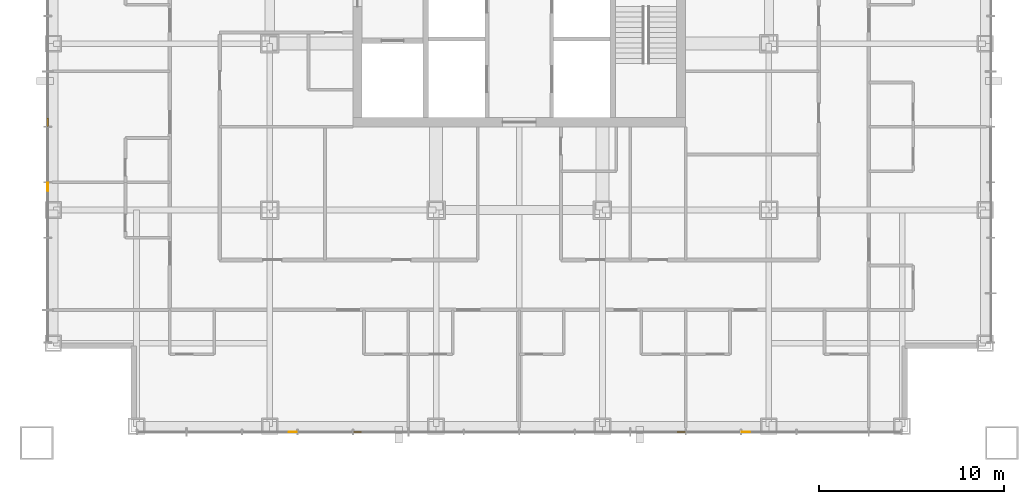
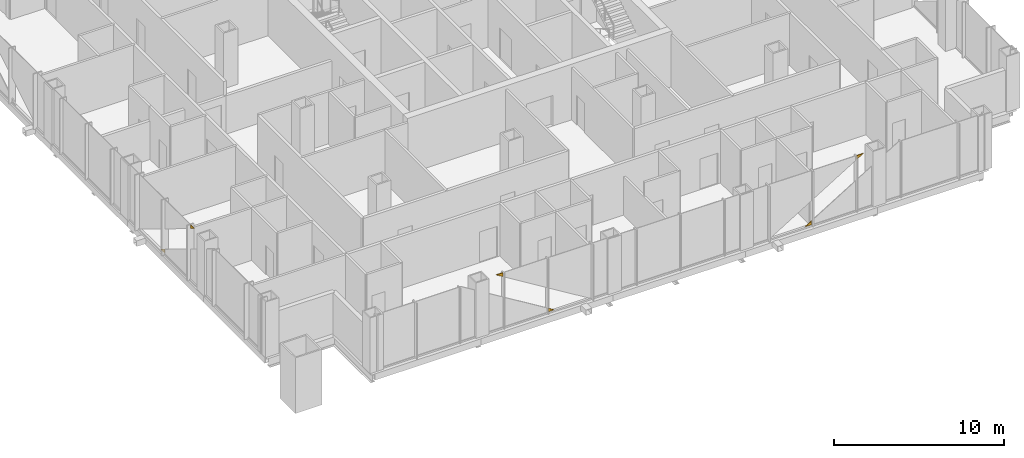
# One storey, part 14 of 17: 6 coverings.
"""IFC4 building model written with IfcOpenShell, lengths in metres."""

from ifc_helpers import new_model, si_unit, direction, frame, origin, place, context, subcontext, project, spatial, polyline, outline, extrude, material, layer, layer_set, type_object, element, save


model = new_model("IFC4")

# Units and contexts
model_context = context("Model", 3, precision=1e-05, world=origin(), true_north=direction((0.0, 1.0)))
body_context = subcontext(model_context, "Body", "Model", "MODEL_VIEW")
ifc_project = project(units=[si_unit("LENGTHUNIT", "METRE"), si_unit("AREAUNIT", "SQUARE_METRE"), si_unit("VOLUMEUNIT", "CUBIC_METRE"), si_unit("PLANEANGLEUNIT", "RADIAN"), si_unit("MASSUNIT", "GRAM", prefix="KILO")], contexts=[model_context])

# Site, building, storey
site_placement = place(None, origin())
site = spatial("IfcSite", under=ifc_project, at=site_placement, CompositionType="ELEMENT")
building_placement = place(site_placement, origin())
building = spatial("IfcBuilding", under=site, at=building_placement, Name="Malebo Sky Hospital", CompositionType="ELEMENT")
storey_placement = place(building_placement, frame((0.0, 0.0, 83.0)))
storey = spatial("IfcBuildingStorey", under=building, at=storey_placement, Name="L19", CompositionType="ELEMENT", Elevation=83.0)

# Coverings
ifc_material = material(Name="Anodised aluminium, natural silver insulated infill panel", Category="aluminium")
ifc_layer = layer(ifc_material, 0.0400390625)
ifc_layer_set = layer_set([ifc_layer], Name="BRACE INFILL PANEL 40")
covering_type = type_object("IfcCoveringType", Name="BRACE INFILL PANEL 40", PredefinedType="CLADDING", material=ifc_layer_set)
covering_1_placement = place(storey_placement, frame((34.5, 49.736572265625, 3.713134765625), z_axis=(0.0, 0.0, 1.0), x_axis=(0.0, 1.0, 0.0)))
element("IfcCovering", 1, at=covering_1_placement, inside=storey, type_object=covering_type, Name="Brace infill panel 3.1", PredefinedType="CLADDING", context=body_context, shape_type="SweptSolid", body=[
    extrude(outline(polyline([(0.225830078125, 0.0), (0.225830078125, 0.27685546875), (-0.225830078125, 0.27685546875), (0.225830078125, 0.0)])), frame((0.0, 0.02001953125, 0.0), z_axis=(0.0, -1.0, 0.0), x_axis=(1.0, 0.0, 0.0)), (0.0, 0.0, 1.0), 0.0400390625),
])
covering_2_placement = place(storey_placement, frame((34.5, 53.25, 0.10009765625), z_axis=(0.0, 0.0, 1.0), x_axis=(0.0, 1.0, 0.0)))
element("IfcCovering", 2, at=covering_2_placement, inside=storey, type_object=covering_type, Name="Brace infill panel 5.1", PredefinedType="CLADDING", context=body_context, shape_type="SweptSolid", body=[
    extrude(outline(polyline([(-0.212646484375, 0.0), (0.212646484375, 0.0), (-0.212646484375, 0.2607421875), (-0.212646484375, 0.0)])), frame((0.0, 0.02001953125, 0.0), z_axis=(0.0, -1.0, 0.0), x_axis=(1.0, 0.0, 0.0)), (0.0, 0.0, 1.0), 0.0400390625),
])
covering_3_placement = place(storey_placement, frame((72.263427734375, 36.5, 3.713134765625), z_axis=(0.0, 0.0, 1.0), x_axis=(-1.0, 0.0, 0.0)))
element("IfcCovering", 3, at=covering_3_placement, inside=storey, type_object=covering_type, Name="Brace infill panel 3.1", PredefinedType="CLADDING", context=body_context, shape_type="SweptSolid", body=[
    extrude(outline(polyline([(0.225830078125, 0.0), (0.225830078125, 0.27685546875), (-0.225830078125, 0.27685546875), (0.225830078125, 0.0)])), frame((0.0, 0.02001953125, 0.0), z_axis=(0.0, -1.0, 0.0), x_axis=(1.0, 0.0, 0.0)), (0.0, 0.0, 1.0), 0.0400390625),
])
covering_4_placement = place(storey_placement, frame((68.75, 36.5, 0.10009765625), z_axis=(0.0, 0.0, 1.0), x_axis=(-1.0, 0.0, 0.0)))
element("IfcCovering", 4, at=covering_4_placement, inside=storey, type_object=covering_type, Name="Brace infill panel 5.1", PredefinedType="CLADDING", context=body_context, shape_type="SweptSolid", body=[
    extrude(outline(polyline([(-0.212646484375, 0.0), (0.212646484375, 0.0), (-0.212646484375, 0.2607421875), (-0.212646484375, 0.0)])), frame((0.0, 0.02001953125, 0.0), z_axis=(0.0, -1.0, 0.0), x_axis=(1.0, 0.0, 0.0)), (0.0, 0.0, 1.0), 0.0400390625),
])
covering_5_placement = place(storey_placement, frame((51.25, 36.5, 0.10009765625), z_axis=(0.0, 0.0, 1.0), x_axis=(-1.0, 0.0, 0.0)))
element("IfcCovering", 5, at=covering_5_placement, inside=storey, type_object=covering_type, Name="Brace infill panel 10.1", PredefinedType="CLADDING", context=body_context, shape_type="SweptSolid", body=[
    extrude(outline(polyline([(-0.212646484375, 0.0), (0.212646484375, 0.0), (0.212646484375, 0.2607421875), (-0.212646484375, 0.0)])), frame((0.0, 0.02001953125, 0.0), z_axis=(0.0, -1.0, 0.0), x_axis=(1.0, 0.0, 0.0)), (0.0, 0.0, 1.0), 0.0400390625),
])
covering_6_placement = place(storey_placement, frame((47.736572265625, 36.5, 3.713134765625), z_axis=(0.0, 0.0, 1.0), x_axis=(-1.0, 0.0, 0.0)))
element("IfcCovering", 6, at=covering_6_placement, inside=storey, type_object=covering_type, Name="Brace infill panel 12.1", PredefinedType="CLADDING", context=body_context, shape_type="SweptSolid", body=[
    extrude(outline(polyline([(-0.225830078125, 0.0), (0.225830078125, 0.27685546875), (-0.225830078125, 0.27685546875), (-0.225830078125, 0.0)])), frame((0.0, 0.02001953125, 0.0), z_axis=(0.0, -1.0, 0.0), x_axis=(1.0, 0.0, 0.0)), (0.0, 0.0, 1.0), 0.0400390625),
])

save(model, "model.ifc")
